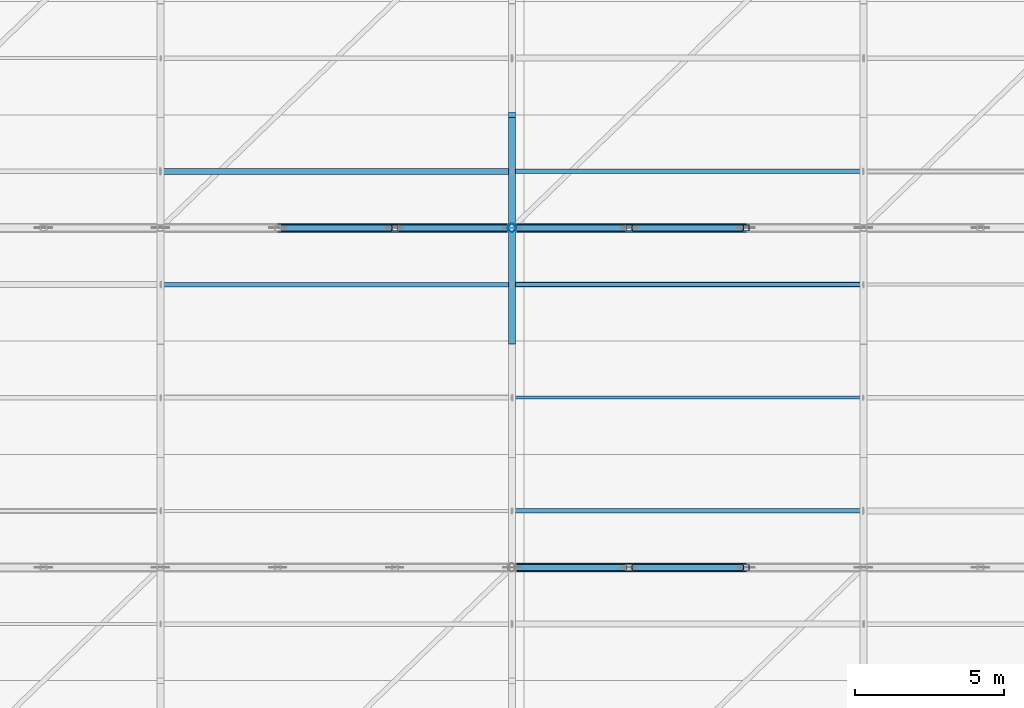
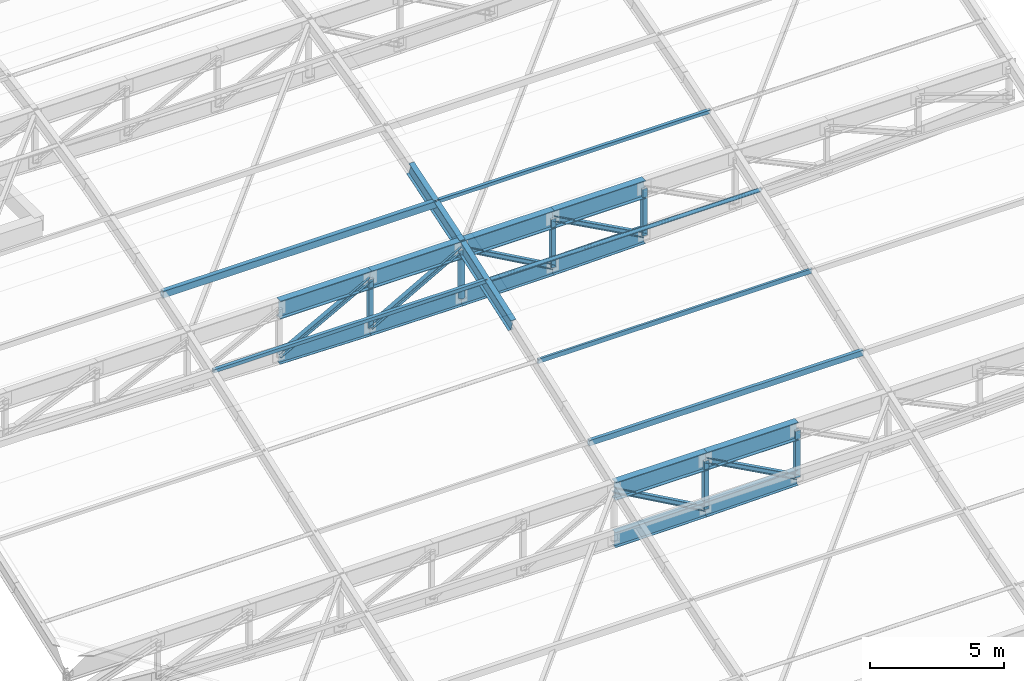
# One storey, part 22 of 65: 20 members, 12 beams.
"""IFC4 building model written with IfcOpenShell, lengths in metres."""

import ifcopenshell
import ifcopenshell.guid

model = None  # the IFC model being written
_history = None  # IfcOwnerHistory: only IFC2X3 demands one
_inside = {}  # id of a spatial element -> (the spatial element, [elements in it])
_under = {}  # id of a project, library or spatial element -> (it, [spatial elements below it])
_declared = {}  # id of a project -> (the project, [libraries it declares])
_typed = {}  # id of a type object -> (the type object, [elements of that type])
_made_of = {}  # id of a material, layer set ... -> (it, [elements and type objects made of it])


def new_model(schema):
    """Start an empty IFC model of exactly this schema.

    Asked for "IFC4X3", IfcOpenShell would pick the latest addendum, in which some entities
    have other attributes; the version numbers below select the first issue.
    IFC2X3 requires an IfcOwnerHistory on every rooted entity: one is made here for all.
    """
    global model, _history
    if schema == "IFC4X3":
        model = ifcopenshell.file(schema_version=(4, 3, 0, 0))
    else:
        model = ifcopenshell.file(schema=schema)
    _inside.clear()
    _under.clear()
    _declared.clear()
    _typed.clear()
    _made_of.clear()
    _history = None
    if model.schema == "IFC2X3":
        org = make("IfcOrganization", Name="unknown")
        user = make(
            "IfcPersonAndOrganization",
            ThePerson=make("IfcPerson", FamilyName="unknown"),
            TheOrganization=org,
        )
        app = make(
            "IfcApplication",
            ApplicationDeveloper=org,
            Version="unknown",
            ApplicationFullName="unknown",
            ApplicationIdentifier="unknown",
        )
        _history = make(
            "IfcOwnerHistory",
            OwningUser=user,
            OwningApplication=app,
            ChangeAction="ADDED",
            CreationDate=0,
        )
    return model


def make(cls, **values):
    """One entity of the class cls with the attributes given. An attribute that is None is left unset."""
    return model.create_entity(
        cls, **{name: value for name, value in values.items() if value is not None}
    )


def rooted(cls, **values):
    """An entity with a GlobalId (a new one), such as an element, a storey or a relation."""
    return make(cls, GlobalId=ifcopenshell.guid.new(), OwnerHistory=_history, **values)


def si_unit(unit_type, name, prefix=None):
    """IfcSIUnit, for example si_unit("LENGTHUNIT", "METRE", prefix="MILLI")."""
    return make("IfcSIUnit", UnitType=unit_type, Prefix=prefix, Name=name)


def assignment(units):
    """IfcUnitAssignment: the units of a project."""
    return None if units is None else make("IfcUnitAssignment", Units=units)


def point(xyz):
    """IfcCartesianPoint."""
    return None if xyz is None else make("IfcCartesianPoint", Coordinates=xyz)


def direction(xyz):
    """IfcDirection."""
    return None if xyz is None else make("IfcDirection", DirectionRatios=xyz)


def frame(location, z_axis=None, x_axis=None):
    """IfcAxis2Placement3D, a coordinate frame: its origin and axes. An axis left out is left unset."""
    return make(
        "IfcAxis2Placement3D",
        Location=point(location),
        Axis=direction(z_axis),
        RefDirection=direction(x_axis),
    )


def frame_2d(location, x_axis=None):
    """IfcAxis2Placement2D, a coordinate frame in the plane: its origin and x axis."""
    return make(
        "IfcAxis2Placement2D", Location=point(location), RefDirection=direction(x_axis)
    )


def origin():
    """The frame at (0, 0, 0) with its axes left unset."""
    return frame((0.0, 0.0, 0.0))


def origin_2d():
    """The frame at (0, 0) in the plane with its x axis left unset."""
    return frame_2d((0.0, 0.0))


def place(relative_to, where):
    """IfcLocalPlacement: puts the frame where relative to a parent placement (None: the world)."""
    return make(
        "IfcLocalPlacement", PlacementRelTo=relative_to, RelativePlacement=where
    )


def context(
    kind, dimensions, precision=None, world=None, true_north=None, identifier=None
):
    """IfcGeometricRepresentationContext, for example the 3D "Model" context."""
    return make(
        "IfcGeometricRepresentationContext",
        ContextIdentifier=identifier,
        ContextType=kind,
        CoordinateSpaceDimension=dimensions,
        Precision=precision,
        WorldCoordinateSystem=world,
        TrueNorth=true_north,
    )


def subcontext(parent, identifier, kind, view, scale=None):
    """IfcGeometricRepresentationSubContext, for example "Body" below "Model"."""
    return make(
        "IfcGeometricRepresentationSubContext",
        ContextIdentifier=identifier,
        ContextType=kind,
        ParentContext=parent,
        TargetScale=scale,
        TargetView=view,
    )


def project(units=None, contexts=None):
    """IfcProject with its units and contexts."""
    return rooted(
        "IfcProject",
        Name="project",
        RepresentationContexts=contexts,
        UnitsInContext=assignment(units),
    )


def spatial(cls, under=None, at=None, **own):
    """A site, building, storey or space (cls), placed at a placement, below another one or the project."""
    s = rooted(cls, ObjectPlacement=at, **own)
    if under is not None:
        _under.setdefault(under.id(), (under, []))[1].append(s)
    return s


def profile(cls, at=None, kind="AREA", **sizes):
    """A parametric profile (cls). Its sizes go by their IFC names, for example OverallWidth=200.0."""
    return make(cls, ProfileType=kind, Position=at, **sizes)


def hollow_rectangle(**sizes):
    """IfcRectangleHollowProfileDef."""
    return profile("IfcRectangleHollowProfileDef", **sizes)


def hollow_circle(**sizes):
    """IfcCircleHollowProfileDef."""
    return profile("IfcCircleHollowProfileDef", **sizes)


def i_section(**sizes):
    """IfcIShapeProfileDef."""
    return profile("IfcIShapeProfileDef", **sizes)


def extrude(swept, where, along, depth):
    """IfcExtrudedAreaSolid: the profile swept, set in the frame where, extruded along a direction by depth."""
    return make(
        "IfcExtrudedAreaSolid",
        SweptArea=swept,
        Position=where,
        ExtrudedDirection=direction(along),
        Depth=depth,
    )


def shape(context_of_items, identifier, shape_type, items):
    """IfcShapeRepresentation: the items that make up one representation, for example the "Body"."""
    return make(
        "IfcShapeRepresentation",
        ContextOfItems=context_of_items,
        RepresentationIdentifier=identifier,
        RepresentationType=shape_type,
        Items=items,
    )


def material(Name=None, Category=None):
    """IfcMaterial."""
    return make("IfcMaterial", Name=Name, Category=Category)


def material_profile(
    of_material, cross_section, Name=None, Category=None, Priority=None
):
    """IfcMaterialProfile: a cross section and its material."""
    return make(
        "IfcMaterialProfile",
        Name=Name,
        Material=of_material,
        Profile=cross_section,
        Priority=Priority,
        Category=Category,
    )


def profile_set(profiles, Name=None, composite=None):
    """IfcMaterialProfileSet."""
    return make(
        "IfcMaterialProfileSet",
        Name=Name,
        MaterialProfiles=profiles,
        CompositeProfile=composite,
    )


def made_of(thing, what):
    """Note that an element or type object is made of a material, layer set ...; save() writes the relation."""
    if what is not None:
        _made_of.setdefault(what.id(), (what, []))[1].append(thing)
    return thing


def type_object(cls, material=None, **own):
    """A type object (cls), such as IfcWallType, which elements share."""
    return made_of(rooted(cls, **own), material)


def element(
    cls,
    number,
    at=None,
    inside=None,
    cuts=None,
    type_object=None,
    material=None,
    context=None,
    identifier="Body",
    shape_type=None,
    held_by="IfcProductDefinitionShape",
    body=None,
    shapes=None,
    **own,
):
    """One element of the class cls, such as IfcWall. Its Tag is "e" and its number.

    at: its placement. inside: the storey or other place that contains it. cuts: it is an
    opening in that element (IfcRelVoidsElement). A single representation is given by context,
    identifier, shape_type and body (its items); several are given by shapes. held_by: the class
    of the entity that holds the representations. save() writes the other relations.
    """
    e = rooted(cls, Tag="e%d" % number, ObjectPlacement=at, **own)
    if body is not None:
        shapes = [shape(context, identifier, shape_type, body)]
    if shapes is not None:
        e.Representation = make(held_by, Representations=shapes)
    if inside is not None:
        _inside.setdefault(inside.id(), (inside, []))[1].append(e)
    if cuts is not None:
        rooted(
            "IfcRelVoidsElement", RelatingBuildingElement=cuts, RelatedOpeningElement=e
        )
    if type_object is not None:
        _typed.setdefault(type_object.id(), (type_object, []))[1].append(e)
    return made_of(e, material)


def aggregate(whole, parts):
    """IfcRelAggregates: a whole, such as a stair, and the parts it consists of."""
    return rooted("IfcRelAggregates", RelatingObject=whole, RelatedObjects=parts)


def save(model, path):
    """Write the relations noted so far, then the file.

    IfcRelAggregates (storeys below a building ...), IfcRelContainedInSpatialStructure (elements
    in a storey), IfcRelDefinesByType, IfcRelAssociatesMaterial and IfcRelDeclares: one each for
    every whole, place, type object, material and project.
    """
    for whole, parts in _under.values():
        aggregate(whole, parts)
    for where, things in _inside.values():
        rooted(
            "IfcRelContainedInSpatialStructure",
            RelatedElements=things,
            RelatingStructure=where,
        )
    for kind, things in _typed.values():
        rooted("IfcRelDefinesByType", RelatedObjects=things, RelatingType=kind)
    for what, things in _made_of.values():
        rooted("IfcRelAssociatesMaterial", RelatedObjects=things, RelatingMaterial=what)
    for by, libraries in _declared.values():
        rooted("IfcRelDeclares", RelatingContext=by, RelatedDefinitions=libraries)
    model.write(path)


model = new_model("IFC4")

# Units and contexts
model_context = context("Model", 3, precision=1e-05, world=origin(), true_north=direction((0.0, 1.0)))
body_context = subcontext(model_context, "Body", "Model", "MODEL_VIEW")
ifc_project = project(units=[si_unit("LENGTHUNIT", "METRE"), si_unit("AREAUNIT", "SQUARE_METRE"), si_unit("VOLUMEUNIT", "CUBIC_METRE"), si_unit("PLANEANGLEUNIT", "RADIAN"), si_unit("MASSUNIT", "GRAM", prefix="KILO"), si_unit("POWERUNIT", "WATT"), si_unit("THERMODYNAMICTEMPERATUREUNIT", "KELVIN")], contexts=[model_context])

# Site, building, storey
site_placement = place(None, origin())
site = spatial("IfcSite", under=ifc_project, at=site_placement, CompositionType="ELEMENT")
building_placement = place(site_placement, origin())
building = spatial("IfcBuilding", under=site, at=building_placement, Name="Kelmbourne Parkland Aquatics Centre", CompositionType="ELEMENT")
storey_placement = place(building_placement, frame((0.0, 0.0, 27.0)))
storey = spatial("IfcBuildingStorey", under=building, at=storey_placement, Name="RF", CompositionType="ELEMENT", Elevation=27.0)

# Members
ifc_material_1 = material(Name="Structural steel AS/NZS 3679.1 Grade 300", Category="steel")
ifc_material_profile_1 = material_profile(ifc_material_1, i_section(OverallWidth=0.205078125, OverallDepth=0.2099609375, WebThickness=0.00927734375, FlangeThickness=0.01416015625, at=origin_2d()), Name="200UC59.5")
ifc_profile_set_1 = profile_set([ifc_material_profile_1], Name="Structural steel AS/NZS 3679.1 Grade 300")
member_type_1 = type_object("IfcMemberType", Name="MB-DIAG3", PredefinedType="STRUT", material=ifc_profile_set_1)
member_1_placement = place(storey_placement, frame((151.60009765625, 80.60009765625, -7.30517578125), z_axis=(0.872150365461, 0.0, -0.489237917608), x_axis=(0.0, 1.0, 0.0)))
element("IfcMember", 1, at=member_1_placement, inside=storey, type_object=member_type_1, Name="Roof truss R07 web diagonal 7", PredefinedType="STRUT", context=body_context, shape_type="SweptSolid", body=[
    extrude(i_section(OverallWidth=0.205078125, OverallDepth=0.2099609375, WebThickness=0.00927734375, FlangeThickness=0.01416015625, at=origin_2d()), origin(), (0.0, 0.0, 1.0), 4.509765625),
])
member_2_placement = place(storey_placement, frame((155.533203125, 80.60009765625, -7.30517578125), z_axis=(0.878842322789, 0.0, -0.477112326057), x_axis=(0.0, 1.0, 0.0)))
element("IfcMember", 2, at=member_2_placement, inside=storey, type_object=member_type_1, Name="Roof truss R07 web diagonal 8", PredefinedType="STRUT", context=body_context, shape_type="SweptSolid", body=[
    extrude(i_section(OverallWidth=0.205078125, OverallDepth=0.2099609375, WebThickness=0.00927734375, FlangeThickness=0.01416015625, at=origin_2d()), origin(), (0.0, 0.0, 1.0), 4.475830078125),
])
member_3_placement = place(storey_placement, frame((143.7333984375, 92.0, -5.33837890625), z_axis=(0.878829905293, 0.0, 0.477135198411), x_axis=(0.0, 1.0, 0.0)))
element("IfcMember", 3, at=member_3_placement, inside=storey, type_object=member_type_1, Name="Roof truss R08 web diagonal 5", PredefinedType="STRUT", context=body_context, shape_type="SweptSolid", body=[
    extrude(i_section(OverallWidth=0.205078125, OverallDepth=0.2099609375, WebThickness=0.00927734375, FlangeThickness=0.01416015625, at=origin_2d()), origin(), (0.0, 0.0, 1.0), 4.4755859375),
])
for number, where, z_axis, x_axis, name in (
    (4, (147.666748046875, 92.0, -5.4091796875), (0.872163322486, 0.0, 0.489214818776), (0.0, 1.0, 0.0), "Roof truss R08 web diagonal 6"),
    (5, (151.60009765625, 92.0, -3.202880859375), (0.872150365461, 0.0, -0.489237917608), (0.0, 1.0, 0.0), "Roof truss R08 web diagonal 7"),
):
    element("IfcMember", number, at=place(storey_placement, frame(where, z_axis=z_axis, x_axis=x_axis)), inside=storey, type_object=member_type_1, Name=name, PredefinedType="STRUT", context=body_context, shape_type="SweptSolid", body=[
        extrude(i_section(OverallWidth=0.205078125, OverallDepth=0.2099609375, WebThickness=0.00927734375, FlangeThickness=0.01416015625, at=origin_2d()), origin(), (0.0, 0.0, 1.0), 4.509765625),
    ])
member_4_placement = place(storey_placement, frame((155.533203125, 92.0, -3.202880859375), z_axis=(0.878842322789, 0.0, -0.477112326057), x_axis=(0.0, 1.0, 0.0)))
element("IfcMember", 6, at=member_4_placement, inside=storey, type_object=member_type_1, Name="Roof truss R08 web diagonal 8", PredefinedType="STRUT", context=body_context, shape_type="SweptSolid", body=[
    extrude(i_section(OverallWidth=0.205078125, OverallDepth=0.2099609375, WebThickness=0.00927734375, FlangeThickness=0.01416015625, at=origin_2d()), origin(), (0.0, 0.0, 1.0), 4.475830078125),
])
ifc_material_profile_2 = material_profile(ifc_material_1, i_section(OverallWidth=0.22900390625, OverallDepth=0.612060546875, WebThickness=0.011962890625, FlangeThickness=0.01953125, at=origin_2d()), Name="610UB125")
ifc_profile_set_2 = profile_set([ifc_material_profile_2], Name="Structural steel AS/NZS 3679.1 Grade 300")
member_type_2 = type_object("IfcMemberType", Name="MB-LRIB", PredefinedType="STRUT", material=ifc_profile_set_2)
member_5_placement = place(storey_placement, frame((151.60009765625, 88.199951171875, -4.414794921875), z_axis=(0.0, 0.943721214003, 0.330741999511), x_axis=(-1.0, 0.0, 0.0)))
element("IfcMember", 7, at=member_5_placement, inside=storey, type_object=member_type_2, Name="Longitudinal wave rib K6 strip 24", PredefinedType="STRUT", context=body_context, shape_type="SweptSolid", body=[
    extrude(i_section(OverallWidth=0.22900390625, OverallDepth=0.612060546875, WebThickness=0.011962890625, FlangeThickness=0.01953125, at=origin_2d()), origin(), (0.0, 0.0, 1.0), 4.026611328125),
])
member_6_placement = place(storey_placement, frame((151.60009765625, 92.0, -3.0830078125), z_axis=(0.0, 0.951582923928, 0.307392158144), x_axis=(-1.0, 0.0, 0.0)))
element("IfcMember", 8, at=member_6_placement, inside=storey, type_object=member_type_2, Name="Longitudinal wave rib K6 strip 25", PredefinedType="STRUT", context=body_context, shape_type="SweptSolid", body=[
    extrude(i_section(OverallWidth=0.22900390625, OverallDepth=0.612060546875, WebThickness=0.011962890625, FlangeThickness=0.01953125, at=origin_2d()), origin(), (0.0, 0.0, 1.0), 3.993408203125),
])
ifc_material_2 = material(Name="Cold-formed hollow steel AS/NZS 1163 C350L0", Category="steel")
ifc_material_profile_3 = material_profile(ifc_material_2, hollow_rectangle(XDim=0.199951171875, YDim=0.199951171875, WallThickness=0.010009765625, at=origin_2d()), Name="SHS 200x200x10.0")
ifc_profile_set_3 = profile_set([ifc_material_profile_3], Name="Cold-formed hollow steel AS/NZS 1163 C350L0")
member_type_3 = type_object("IfcMemberType", Name="MB-POST1", PredefinedType="STRUT", material=ifc_profile_set_3)
member_7_placement = place(storey_placement, frame((155.533203125, 80.60009765625, -9.511474609375), z_axis=(0.0, 0.0, 1.0), x_axis=(1.0, 0.0, 0.0)))
element("IfcMember", 9, at=member_7_placement, inside=storey, type_object=member_type_3, Name="Roof truss R07 vertical post 7", PredefinedType="STRUT", context=body_context, shape_type="SweptSolid", body=[
    extrude(hollow_rectangle(XDim=0.199951171875, YDim=0.199951171875, WallThickness=0.010009765625, at=origin_2d()), origin(), (0.0, 0.0, 1.0), 2.206298828125),
])
member_8_placement = place(storey_placement, frame((159.466796875, 80.60009765625, -9.440673828125), z_axis=(0.0, 0.0, 1.0), x_axis=(1.0, 0.0, 0.0)))
element("IfcMember", 10, at=member_8_placement, inside=storey, type_object=member_type_3, Name="Roof truss R07 vertical post 8", PredefinedType="STRUT", context=body_context, shape_type="SweptSolid", body=[
    extrude(hollow_rectangle(XDim=0.199951171875, YDim=0.199951171875, WallThickness=0.010009765625, at=origin_2d()), origin(), (0.0, 0.0, 1.0), 2.135498046875),
])
for number, where, z_axis, x_axis, name in (
    (11, (147.666748046875, 92.0, -5.4091796875), (0.0, 0.0, 1.0), (1.0, 0.0, 0.0), "Roof truss R08 vertical post 5"),
    (12, (155.533203125, 92.0, -5.4091796875), (0.0, 0.0, 1.0), (1.0, 0.0, 0.0), "Roof truss R08 vertical post 7"),
):
    element("IfcMember", number, at=place(storey_placement, frame(where, z_axis=z_axis, x_axis=x_axis)), inside=storey, type_object=member_type_3, Name=name, PredefinedType="STRUT", context=body_context, shape_type="SweptSolid", body=[
        extrude(hollow_rectangle(XDim=0.199951171875, YDim=0.199951171875, WallThickness=0.010009765625, at=origin_2d()), origin(), (0.0, 0.0, 1.0), 2.206298828125),
    ])
member_9_placement = place(storey_placement, frame((159.466796875, 92.0, -5.33837890625), z_axis=(0.0, 0.0, 1.0), x_axis=(1.0, 0.0, 0.0)))
element("IfcMember", 13, at=member_9_placement, inside=storey, type_object=member_type_3, Name="Roof truss R08 vertical post 8", PredefinedType="STRUT", context=body_context, shape_type="SweptSolid", body=[
    extrude(hollow_rectangle(XDim=0.199951171875, YDim=0.199951171875, WallThickness=0.010009765625, at=origin_2d()), origin(), (0.0, 0.0, 1.0), 2.135498046875),
])
ifc_material_profile_4 = material_profile(ifc_material_2, hollow_circle(Radius=0.136474609375, WallThickness=0.00927734375, at=origin_2d()), Name="CHS 273.1x9.3")
ifc_profile_set_4 = profile_set([ifc_material_profile_4], Name="Cold-formed hollow steel AS/NZS 1163 C350L0")
member_type_4 = type_object("IfcMemberType", Name="MB-POST2", PredefinedType="STRUT", material=ifc_profile_set_4)
member_10_placement = place(storey_placement, frame((151.60009765625, 92.0, -5.432861328125), z_axis=(0.0, 0.0, 1.0), x_axis=(1.0, 0.0, 0.0)))
element("IfcMember", 14, at=member_10_placement, inside=storey, type_object=member_type_4, Name="Roof truss R08 vertical post 6", PredefinedType="STRUT", context=body_context, shape_type="SweptSolid", body=[
    extrude(hollow_circle(Radius=0.136474609375, WallThickness=0.00927734375, at=origin_2d()), origin(), (0.0, 0.0, 1.0), 2.22998046875),
])
ifc_material_profile_5 = material_profile(ifc_material_2, hollow_rectangle(XDim=0.10009765625, YDim=0.199951171875, WallThickness=0.006103515625, at=origin_2d()), Name="RHS 200x100x6.0")
ifc_profile_set_5 = profile_set([ifc_material_profile_5], Name="Cold-formed hollow steel AS/NZS 1163 C350L0")
member_type_5 = type_object("IfcMemberType", Name="MB-PUR1", PredefinedType="PURLIN", material=ifc_profile_set_5)
member_11_placement = place(storey_placement, frame((151.60009765625, 86.300048828125, -4.8974609375), z_axis=(1.0, 0.0, 0.0), x_axis=(0.0, 1.0, 0.0)))
element("IfcMember", 15, at=member_11_placement, inside=storey, type_object=member_type_5, Name="Wave roof purlin S23-G3", PredefinedType="PURLIN", context=body_context, shape_type="SweptSolid", body=[
    extrude(hollow_rectangle(XDim=0.10009765625, YDim=0.199951171875, WallThickness=0.006103515625, at=origin_2d()), origin(), (0.0, 0.0, 1.0), 11.7998046875),
])
ifc_material_profile_6 = material_profile(ifc_material_2, hollow_rectangle(XDim=0.14990234375, YDim=0.25, WallThickness=0.009033203125, at=origin_2d()), Name="RHS 250x150x9.0")
ifc_profile_set_6 = profile_set([ifc_material_profile_6], Name="Cold-formed hollow steel AS/NZS 1163 C350L0")
member_type_6 = type_object("IfcMemberType", Name="MB-PUR2", PredefinedType="PURLIN", material=ifc_profile_set_6)
member_12_placement = place(storey_placement, frame((151.60009765625, 82.5, -6.3076171875), z_axis=(1.0, 0.0, 0.0), x_axis=(0.0, 1.0, 0.0)))
element("IfcMember", 16, at=member_12_placement, inside=storey, type_object=member_type_6, Name="Wave roof purlin S22-G3", PredefinedType="PURLIN", context=body_context, shape_type="SweptSolid", body=[
    extrude(hollow_rectangle(XDim=0.14990234375, YDim=0.25, WallThickness=0.009033203125, at=origin_2d()), origin(), (0.0, 0.0, 1.0), 11.7998046875),
])
ifc_material_profile_7 = material_profile(ifc_material_2, hollow_rectangle(XDim=0.199951171875, YDim=0.300048828125, WallThickness=0.010009765625, at=origin_2d()), Name="RHS 300x200x10.0")
ifc_profile_set_7 = profile_set([ifc_material_profile_7], Name="Cold-formed hollow steel AS/NZS 1163 C350L0")
member_type_7 = type_object("IfcMemberType", Name="MB-PUR3", PredefinedType="PURLIN", material=ifc_profile_set_7)
member_13_placement = place(storey_placement, frame((139.800048828125, 93.89990234375, -2.30908203125), z_axis=(1.0, 0.0, 0.0), x_axis=(0.0, 1.0, 0.0)))
element("IfcMember", 17, at=member_13_placement, inside=storey, type_object=member_type_7, Name="Wave roof purlin S25-G2", PredefinedType="PURLIN", context=body_context, shape_type="SweptSolid", body=[
    extrude(hollow_rectangle(XDim=0.199951171875, YDim=0.300048828125, WallThickness=0.010009765625, at=origin_2d()), origin(), (0.0, 0.0, 1.0), 11.800048828125),
])
ifc_material_profile_8 = material_profile(ifc_material_2, hollow_rectangle(XDim=0.14990234375, YDim=0.14990234375, WallThickness=0.009033203125, at=origin_2d()), Name="SHS 150x150x9.0")
ifc_profile_set_8 = profile_set([ifc_material_profile_8], Name="Cold-formed hollow steel AS/NZS 1163 C350L0")
member_type_8 = type_object("IfcMemberType", Name="MB-PUR4", PredefinedType="PURLIN", material=ifc_profile_set_8)
member_14_placement = place(storey_placement, frame((139.800048828125, 90.10009765625, -3.513916015625), z_axis=(1.0, 0.0, 0.0), x_axis=(0.0, 1.0, 0.0)))
element("IfcMember", 18, at=member_14_placement, inside=storey, type_object=member_type_8, Name="Wave roof purlin S24-G2", PredefinedType="PURLIN", context=body_context, shape_type="SweptSolid", body=[
    extrude(hollow_rectangle(XDim=0.14990234375, YDim=0.14990234375, WallThickness=0.009033203125, at=origin_2d()), origin(), (0.0, 0.0, 1.0), 11.800048828125),
])
member_15_placement = place(storey_placement, frame((151.60009765625, 93.89990234375, -2.234130859375), z_axis=(1.0, 0.0, 0.0), x_axis=(0.0, 1.0, 0.0)))
element("IfcMember", 19, at=member_15_placement, inside=storey, type_object=member_type_8, Name="Wave roof purlin S25-G3", PredefinedType="PURLIN", context=body_context, shape_type="SweptSolid", body=[
    extrude(hollow_rectangle(XDim=0.14990234375, YDim=0.14990234375, WallThickness=0.009033203125, at=origin_2d()), origin(), (0.0, 0.0, 1.0), 11.7998046875),
])
ifc_material_profile_9 = material_profile(ifc_material_2, hollow_circle(Radius=0.084228515625, WallThickness=0.007080078125, at=origin_2d()), Name="CHS 168.3x7.1")
ifc_profile_set_9 = profile_set([ifc_material_profile_9], Name="Cold-formed hollow steel AS/NZS 1163 C350L0")
member_type_9 = type_object("IfcMemberType", Name="MB-PUR5", PredefinedType="PURLIN", material=ifc_profile_set_9)
member_16_placement = place(storey_placement, frame((151.60009765625, 90.10009765625, -3.523193359375), z_axis=(1.0, 0.0, 0.0), x_axis=(0.0, 1.0, 0.0)))
element("IfcMember", 20, at=member_16_placement, inside=storey, type_object=member_type_9, Name="Wave roof purlin S24-G3", PredefinedType="PURLIN", context=body_context, shape_type="SweptSolid", body=[
    extrude(hollow_circle(Radius=0.084228515625, WallThickness=0.007080078125, at=origin_2d()), origin(), (0.0, 0.0, 1.0), 11.7998046875),
])

# Beams
ifc_material_3 = material(Name="Welded plate steel AS/NZS 3678 Grade 350", Category="steel")
ifc_material_profile_10 = material_profile(ifc_material_3, i_section(OverallWidth=0.25, OverallDepth=0.699951171875, WebThickness=0.010009765625, FlangeThickness=0.02001953125, at=origin_2d()), Name="700WB130")
ifc_profile_set_10 = profile_set([ifc_material_profile_10], Name="Welded plate steel AS/NZS 3678 Grade 350")
beam_type_1 = type_object("IfcBeamType", Name="TR-BC2", PredefinedType="BEAM", material=ifc_profile_set_10)
beam_1_placement = place(storey_placement, frame((151.60009765625, 80.60009765625, -9.53515625), z_axis=(0.999981873641, 0.0, 0.006020995763), x_axis=(0.0, 1.0, 0.0)))
element("IfcBeam", 21, at=beam_1_placement, inside=storey, type_object=beam_type_1, Name="Roof truss R07 bottom chord 7", PredefinedType="BEAM", context=body_context, shape_type="SweptSolid", body=[
    extrude(i_section(OverallWidth=0.25, OverallDepth=0.699951171875, WebThickness=0.010009765625, FlangeThickness=0.02001953125, at=origin_2d()), origin(), (0.0, 0.0, 1.0), 3.93310546875),
])
beam_2_placement = place(storey_placement, frame((155.533203125, 80.60009765625, -9.511474609375), z_axis=(0.999838057221, 0.0, 0.017996092142), x_axis=(0.0, 1.0, 0.0)))
element("IfcBeam", 22, at=beam_2_placement, inside=storey, type_object=beam_type_1, Name="Roof truss R07 bottom chord 8", PredefinedType="BEAM", context=body_context, shape_type="SweptSolid", body=[
    extrude(i_section(OverallWidth=0.25, OverallDepth=0.699951171875, WebThickness=0.010009765625, FlangeThickness=0.02001953125, at=origin_2d()), origin(), (0.0, 0.0, 1.0), 3.934326171875),
])
beam_3_placement = place(storey_placement, frame((143.7333984375, 92.0, -5.33837890625), z_axis=(0.999838037122, 0.0, -0.017997208787), x_axis=(0.0, 1.0, 0.0)))
element("IfcBeam", 23, at=beam_3_placement, inside=storey, type_object=beam_type_1, Name="Roof truss R08 bottom chord 5", PredefinedType="BEAM", context=body_context, shape_type="SweptSolid", body=[
    extrude(i_section(OverallWidth=0.25, OverallDepth=0.699951171875, WebThickness=0.010009765625, FlangeThickness=0.02001953125, at=origin_2d()), origin(), (0.0, 0.0, 1.0), 3.93408203125),
])
beam_4_placement = place(storey_placement, frame((147.666748046875, 92.0, -5.4091796875), z_axis=(0.999981875891, 0.0, -0.006020622057), x_axis=(0.0, 1.0, 0.0)))
element("IfcBeam", 24, at=beam_4_placement, inside=storey, type_object=beam_type_1, Name="Roof truss R08 bottom chord 6", PredefinedType="BEAM", context=body_context, shape_type="SweptSolid", body=[
    extrude(i_section(OverallWidth=0.25, OverallDepth=0.699951171875, WebThickness=0.010009765625, FlangeThickness=0.02001953125, at=origin_2d()), origin(), (0.0, 0.0, 1.0), 3.933349609375),
])
beam_5_placement = place(storey_placement, frame((151.60009765625, 92.0, -5.432861328125), z_axis=(0.999981873641, 0.0, 0.006020995763), x_axis=(0.0, 1.0, 0.0)))
element("IfcBeam", 25, at=beam_5_placement, inside=storey, type_object=beam_type_1, Name="Roof truss R08 bottom chord 7", PredefinedType="BEAM", context=body_context, shape_type="SweptSolid", body=[
    extrude(i_section(OverallWidth=0.25, OverallDepth=0.699951171875, WebThickness=0.010009765625, FlangeThickness=0.02001953125, at=origin_2d()), origin(), (0.0, 0.0, 1.0), 3.93310546875),
])
beam_6_placement = place(storey_placement, frame((155.533203125, 92.0, -5.4091796875), z_axis=(0.999838057221, 0.0, 0.017996092142), x_axis=(0.0, 1.0, 0.0)))
element("IfcBeam", 26, at=beam_6_placement, inside=storey, type_object=beam_type_1, Name="Roof truss R08 bottom chord 8", PredefinedType="BEAM", context=body_context, shape_type="SweptSolid", body=[
    extrude(i_section(OverallWidth=0.25, OverallDepth=0.699951171875, WebThickness=0.010009765625, FlangeThickness=0.02001953125, at=origin_2d()), origin(), (0.0, 0.0, 1.0), 3.934326171875),
])
ifc_material_profile_11 = material_profile(ifc_material_3, i_section(OverallWidth=0.300048828125, OverallDepth=0.81591796875, WebThickness=0.011962890625, FlangeThickness=0.028076171875, at=origin_2d()), Name="800WB192")
ifc_profile_set_11 = profile_set([ifc_material_profile_11], Name="Welded plate steel AS/NZS 3678 Grade 350")
beam_type_2 = type_object("IfcBeamType", Name="TR-TC2", PredefinedType="BEAM", material=ifc_profile_set_11)
beam_7_placement = place(storey_placement, frame((151.60009765625, 80.60009765625, -7.30517578125), z_axis=(1.0, 0.0, 0.0), x_axis=(0.0, 1.0, 0.0)))
element("IfcBeam", 27, at=beam_7_placement, inside=storey, type_object=beam_type_2, Name="Roof truss R07 top chord 7", PredefinedType="BEAM", context=body_context, shape_type="SweptSolid", body=[
    extrude(i_section(OverallWidth=0.300048828125, OverallDepth=0.81591796875, WebThickness=0.011962890625, FlangeThickness=0.028076171875, at=origin_2d()), origin(), (0.0, 0.0, 1.0), 3.93310546875),
])
beam_8_placement = place(storey_placement, frame((155.533203125, 80.60009765625, -7.30517578125), z_axis=(1.0, 0.0, 0.0), x_axis=(0.0, 1.0, 0.0)))
element("IfcBeam", 28, at=beam_8_placement, inside=storey, type_object=beam_type_2, Name="Roof truss R07 top chord 8", PredefinedType="BEAM", context=body_context, shape_type="SweptSolid", body=[
    extrude(i_section(OverallWidth=0.300048828125, OverallDepth=0.81591796875, WebThickness=0.011962890625, FlangeThickness=0.028076171875, at=origin_2d()), origin(), (0.0, 0.0, 1.0), 3.93359375),
])
for number, where, z_axis, x_axis, name in (
    (29, (143.7333984375, 92.0, -3.202880859375), (1.0, 0.0, 0.0), (0.0, 1.0, 0.0), "Roof truss R08 top chord 5"),
    (30, (147.666748046875, 92.0, -3.202880859375), (1.0, 0.0, 0.0), (0.0, 1.0, 0.0), "Roof truss R08 top chord 6"),
):
    element("IfcBeam", number, at=place(storey_placement, frame(where, z_axis=z_axis, x_axis=x_axis)), inside=storey, type_object=beam_type_2, Name=name, PredefinedType="BEAM", context=body_context, shape_type="SweptSolid", body=[
        extrude(i_section(OverallWidth=0.300048828125, OverallDepth=0.81591796875, WebThickness=0.011962890625, FlangeThickness=0.028076171875, at=origin_2d()), origin(), (0.0, 0.0, 1.0), 3.933349609375),
    ])
beam_9_placement = place(storey_placement, frame((151.60009765625, 92.0, -3.202880859375), z_axis=(1.0, 0.0, 0.0), x_axis=(0.0, 1.0, 0.0)))
element("IfcBeam", 31, at=beam_9_placement, inside=storey, type_object=beam_type_2, Name="Roof truss R08 top chord 7", PredefinedType="BEAM", context=body_context, shape_type="SweptSolid", body=[
    extrude(i_section(OverallWidth=0.300048828125, OverallDepth=0.81591796875, WebThickness=0.011962890625, FlangeThickness=0.028076171875, at=origin_2d()), origin(), (0.0, 0.0, 1.0), 3.93310546875),
])
beam_10_placement = place(storey_placement, frame((155.533203125, 92.0, -3.202880859375), z_axis=(1.0, 0.0, 0.0), x_axis=(0.0, 1.0, 0.0)))
element("IfcBeam", 32, at=beam_10_placement, inside=storey, type_object=beam_type_2, Name="Roof truss R08 top chord 8", PredefinedType="BEAM", context=body_context, shape_type="SweptSolid", body=[
    extrude(i_section(OverallWidth=0.300048828125, OverallDepth=0.81591796875, WebThickness=0.011962890625, FlangeThickness=0.028076171875, at=origin_2d()), origin(), (0.0, 0.0, 1.0), 3.93359375),
])

save(model, "model.ifc")
